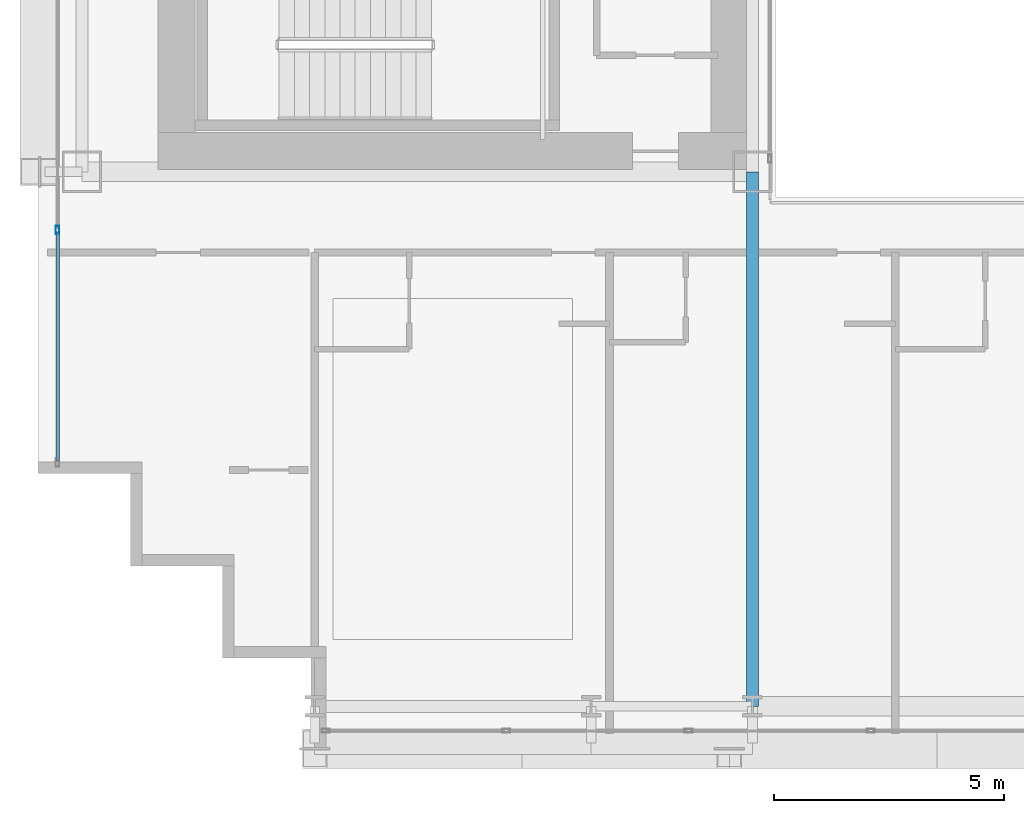
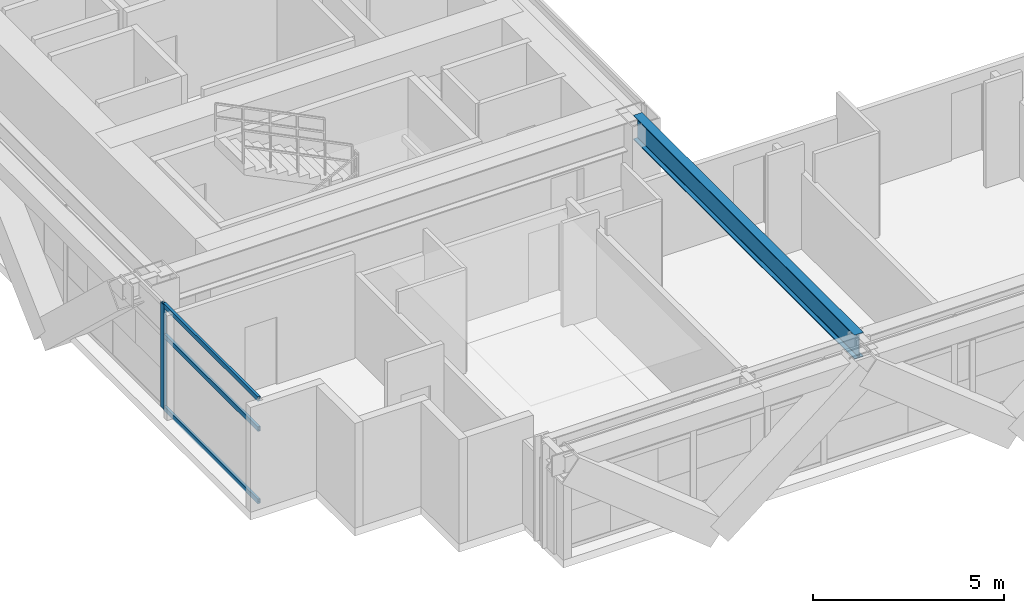
# One storey, part 3 of 41: 4 members, 1 beam, 1 element without a shape of its own.
"""IFC4 building model written with IfcOpenShell, lengths in metres."""

import ifcopenshell
import ifcopenshell.guid

model = None  # the IFC model being written
_history = None  # IfcOwnerHistory: only IFC2X3 demands one
_inside = {}  # id of a spatial element -> (the spatial element, [elements in it])
_under = {}  # id of a project, library or spatial element -> (it, [spatial elements below it])
_declared = {}  # id of a project -> (the project, [libraries it declares])
_typed = {}  # id of a type object -> (the type object, [elements of that type])
_made_of = {}  # id of a material, layer set ... -> (it, [elements and type objects made of it])


def new_model(schema):
    """Start an empty IFC model of exactly this schema.

    Asked for "IFC4X3", IfcOpenShell would pick the latest addendum, in which some entities
    have other attributes; the version numbers below select the first issue.
    IFC2X3 requires an IfcOwnerHistory on every rooted entity: one is made here for all.
    """
    global model, _history
    if schema == "IFC4X3":
        model = ifcopenshell.file(schema_version=(4, 3, 0, 0))
    else:
        model = ifcopenshell.file(schema=schema)
    _inside.clear()
    _under.clear()
    _declared.clear()
    _typed.clear()
    _made_of.clear()
    _history = None
    if model.schema == "IFC2X3":
        org = make("IfcOrganization", Name="unknown")
        user = make(
            "IfcPersonAndOrganization",
            ThePerson=make("IfcPerson", FamilyName="unknown"),
            TheOrganization=org,
        )
        app = make(
            "IfcApplication",
            ApplicationDeveloper=org,
            Version="unknown",
            ApplicationFullName="unknown",
            ApplicationIdentifier="unknown",
        )
        _history = make(
            "IfcOwnerHistory",
            OwningUser=user,
            OwningApplication=app,
            ChangeAction="ADDED",
            CreationDate=0,
        )
    return model


def make(cls, **values):
    """One entity of the class cls with the attributes given. An attribute that is None is left unset."""
    return model.create_entity(
        cls, **{name: value for name, value in values.items() if value is not None}
    )


def rooted(cls, **values):
    """An entity with a GlobalId (a new one), such as an element, a storey or a relation."""
    return make(cls, GlobalId=ifcopenshell.guid.new(), OwnerHistory=_history, **values)


def si_unit(unit_type, name, prefix=None):
    """IfcSIUnit, for example si_unit("LENGTHUNIT", "METRE", prefix="MILLI")."""
    return make("IfcSIUnit", UnitType=unit_type, Prefix=prefix, Name=name)


def assignment(units):
    """IfcUnitAssignment: the units of a project."""
    return None if units is None else make("IfcUnitAssignment", Units=units)


def point(xyz):
    """IfcCartesianPoint."""
    return None if xyz is None else make("IfcCartesianPoint", Coordinates=xyz)


def direction(xyz):
    """IfcDirection."""
    return None if xyz is None else make("IfcDirection", DirectionRatios=xyz)


def frame(location, z_axis=None, x_axis=None):
    """IfcAxis2Placement3D, a coordinate frame: its origin and axes. An axis left out is left unset."""
    return make(
        "IfcAxis2Placement3D",
        Location=point(location),
        Axis=direction(z_axis),
        RefDirection=direction(x_axis),
    )


def frame_2d(location, x_axis=None):
    """IfcAxis2Placement2D, a coordinate frame in the plane: its origin and x axis."""
    return make(
        "IfcAxis2Placement2D", Location=point(location), RefDirection=direction(x_axis)
    )


def origin():
    """The frame at (0, 0, 0) with its axes left unset."""
    return frame((0.0, 0.0, 0.0))


def origin_2d():
    """The frame at (0, 0) in the plane with its x axis left unset."""
    return frame_2d((0.0, 0.0))


def place(relative_to, where):
    """IfcLocalPlacement: puts the frame where relative to a parent placement (None: the world)."""
    return make(
        "IfcLocalPlacement", PlacementRelTo=relative_to, RelativePlacement=where
    )


def context(
    kind, dimensions, precision=None, world=None, true_north=None, identifier=None
):
    """IfcGeometricRepresentationContext, for example the 3D "Model" context."""
    return make(
        "IfcGeometricRepresentationContext",
        ContextIdentifier=identifier,
        ContextType=kind,
        CoordinateSpaceDimension=dimensions,
        Precision=precision,
        WorldCoordinateSystem=world,
        TrueNorth=true_north,
    )


def subcontext(parent, identifier, kind, view, scale=None):
    """IfcGeometricRepresentationSubContext, for example "Body" below "Model"."""
    return make(
        "IfcGeometricRepresentationSubContext",
        ContextIdentifier=identifier,
        ContextType=kind,
        ParentContext=parent,
        TargetScale=scale,
        TargetView=view,
    )


def project(units=None, contexts=None):
    """IfcProject with its units and contexts."""
    return rooted(
        "IfcProject",
        Name="project",
        RepresentationContexts=contexts,
        UnitsInContext=assignment(units),
    )


def spatial(cls, under=None, at=None, **own):
    """A site, building, storey or space (cls), placed at a placement, below another one or the project."""
    s = rooted(cls, ObjectPlacement=at, **own)
    if under is not None:
        _under.setdefault(under.id(), (under, []))[1].append(s)
    return s


def profile(cls, at=None, kind="AREA", **sizes):
    """A parametric profile (cls). Its sizes go by their IFC names, for example OverallWidth=200.0."""
    return make(cls, ProfileType=kind, Position=at, **sizes)


def hollow_rectangle(**sizes):
    """IfcRectangleHollowProfileDef."""
    return profile("IfcRectangleHollowProfileDef", **sizes)


def i_section(**sizes):
    """IfcIShapeProfileDef."""
    return profile("IfcIShapeProfileDef", **sizes)


def extrude(swept, where, along, depth):
    """IfcExtrudedAreaSolid: the profile swept, set in the frame where, extruded along a direction by depth."""
    return make(
        "IfcExtrudedAreaSolid",
        SweptArea=swept,
        Position=where,
        ExtrudedDirection=direction(along),
        Depth=depth,
    )


def shape(context_of_items, identifier, shape_type, items):
    """IfcShapeRepresentation: the items that make up one representation, for example the "Body"."""
    return make(
        "IfcShapeRepresentation",
        ContextOfItems=context_of_items,
        RepresentationIdentifier=identifier,
        RepresentationType=shape_type,
        Items=items,
    )


def source(mapping_origin, context_of_items, identifier, shape_type, items):
    """IfcRepresentationMap: a shape defined once, which mapped items show again and again."""
    return make(
        "IfcRepresentationMap",
        MappingOrigin=mapping_origin,
        MappedRepresentation=shape(context_of_items, identifier, shape_type, items),
    )


def transform(
    local_origin,
    x_axis=None,
    y_axis=None,
    z_axis=None,
    scale=None,
    scale2=None,
    scale3=None,
    uniform=True,
):
    """IfcCartesianTransformationOperator3D, or its non-uniform kind. x_axis, y_axis, z_axis: its Axis1, 2, 3."""
    if uniform:
        return make(
            "IfcCartesianTransformationOperator3D",
            Axis1=direction(x_axis),
            Axis2=direction(y_axis),
            LocalOrigin=point(local_origin),
            Scale=scale,
            Axis3=direction(z_axis),
        )
    return make(
        "IfcCartesianTransformationOperator3DnonUniform",
        Axis1=direction(x_axis),
        Axis2=direction(y_axis),
        LocalOrigin=point(local_origin),
        Scale=scale,
        Axis3=direction(z_axis),
        Scale2=scale2,
        Scale3=scale3,
    )


def mapped(mapping_source, mapping_target):
    """IfcMappedItem: shows the shape of a source again, moved by a transform."""
    return make(
        "IfcMappedItem", MappingSource=mapping_source, MappingTarget=mapping_target
    )


def material(Name=None, Category=None):
    """IfcMaterial."""
    return make("IfcMaterial", Name=Name, Category=Category)


def layer(
    of_material, thickness, ventilated=None, Name=None, Category=None, Priority=None
):
    """IfcMaterialLayer: one layer of a wall or slab, of a material (None: an air gap)."""
    return make(
        "IfcMaterialLayer",
        Material=of_material,
        LayerThickness=thickness,
        IsVentilated=ventilated,
        Name=Name,
        Category=Category,
        Priority=Priority,
    )


def layer_set(layers, Name=None):
    """IfcMaterialLayerSet."""
    return make("IfcMaterialLayerSet", MaterialLayers=layers, LayerSetName=Name)


def material_profile(
    of_material, cross_section, Name=None, Category=None, Priority=None
):
    """IfcMaterialProfile: a cross section and its material."""
    return make(
        "IfcMaterialProfile",
        Name=Name,
        Material=of_material,
        Profile=cross_section,
        Priority=Priority,
        Category=Category,
    )


def profile_set(profiles, Name=None, composite=None):
    """IfcMaterialProfileSet."""
    return make(
        "IfcMaterialProfileSet",
        Name=Name,
        MaterialProfiles=profiles,
        CompositeProfile=composite,
    )


def made_of(thing, what):
    """Note that an element or type object is made of a material, layer set ...; save() writes the relation."""
    if what is not None:
        _made_of.setdefault(what.id(), (what, []))[1].append(thing)
    return thing


def type_object(cls, material=None, **own):
    """A type object (cls), such as IfcWallType, which elements share."""
    return made_of(rooted(cls, **own), material)


def element(
    cls,
    number,
    at=None,
    inside=None,
    cuts=None,
    type_object=None,
    material=None,
    context=None,
    identifier="Body",
    shape_type=None,
    held_by="IfcProductDefinitionShape",
    body=None,
    shapes=None,
    **own,
):
    """One element of the class cls, such as IfcWall. Its Tag is "e" and its number.

    at: its placement. inside: the storey or other place that contains it. cuts: it is an
    opening in that element (IfcRelVoidsElement). A single representation is given by context,
    identifier, shape_type and body (its items); several are given by shapes. held_by: the class
    of the entity that holds the representations. save() writes the other relations.
    """
    e = rooted(cls, Tag="e%d" % number, ObjectPlacement=at, **own)
    if body is not None:
        shapes = [shape(context, identifier, shape_type, body)]
    if shapes is not None:
        e.Representation = make(held_by, Representations=shapes)
    if inside is not None:
        _inside.setdefault(inside.id(), (inside, []))[1].append(e)
    if cuts is not None:
        rooted(
            "IfcRelVoidsElement", RelatingBuildingElement=cuts, RelatedOpeningElement=e
        )
    if type_object is not None:
        _typed.setdefault(type_object.id(), (type_object, []))[1].append(e)
    return made_of(e, material)


def aggregate(whole, parts):
    """IfcRelAggregates: a whole, such as a stair, and the parts it consists of."""
    return rooted("IfcRelAggregates", RelatingObject=whole, RelatedObjects=parts)


def save(model, path):
    """Write the relations noted so far, then the file.

    IfcRelAggregates (storeys below a building ...), IfcRelContainedInSpatialStructure (elements
    in a storey), IfcRelDefinesByType, IfcRelAssociatesMaterial and IfcRelDeclares: one each for
    every whole, place, type object, material and project.
    """
    for whole, parts in _under.values():
        aggregate(whole, parts)
    for where, things in _inside.values():
        rooted(
            "IfcRelContainedInSpatialStructure",
            RelatedElements=things,
            RelatingStructure=where,
        )
    for kind, things in _typed.values():
        rooted("IfcRelDefinesByType", RelatedObjects=things, RelatingType=kind)
    for what, things in _made_of.values():
        rooted("IfcRelAssociatesMaterial", RelatedObjects=things, RelatingMaterial=what)
    for by, libraries in _declared.values():
        rooted("IfcRelDeclares", RelatingContext=by, RelatedDefinitions=libraries)
    model.write(path)


model = new_model("IFC4")

# Units and contexts
model_context = context("Model", 3, precision=1e-05, world=origin(), true_north=direction((0.0, 1.0)))
body_context = subcontext(model_context, "Body", "Model", "MODEL_VIEW")
ifc_project = project(units=[si_unit("LENGTHUNIT", "METRE"), si_unit("AREAUNIT", "SQUARE_METRE"), si_unit("VOLUMEUNIT", "CUBIC_METRE"), si_unit("PLANEANGLEUNIT", "RADIAN"), si_unit("MASSUNIT", "GRAM", prefix="KILO")], contexts=[model_context])

# Site, building, storey
site_placement = place(None, origin())
site = spatial("IfcSite", under=ifc_project, at=site_placement, CompositionType="ELEMENT")
building_placement = place(site_placement, origin())
building = spatial("IfcBuilding", under=site, at=building_placement, Name="Ocotamira Hotel", CompositionType="ELEMENT")
storey_placement = place(building_placement, frame((0.0, 0.0, 52.800048828125)))
storey = spatial("IfcBuildingStorey", under=building, at=storey_placement, Name="L12", CompositionType="ELEMENT", Elevation=52.800048828125)

# Beam
ifc_material_1 = material(Name="Steel ASTM A992 Grade 50", Category="steel")
ifc_material_profile_1 = material_profile(ifc_material_1, i_section(OverallWidth=0.26611328125, OverallDepth=0.779052734375, WebThickness=0.0166015625, FlangeThickness=0.030029296875, FilletRadius=0.01806640625, at=origin_2d()), Name="W30X148")
ifc_profile_set_1 = profile_set([ifc_material_profile_1], Name="Steel ASTM A992 Grade 50")
beam_type = type_object("IfcBeamType", Name="BM-GIRD-W30X148", PredefinedType="BEAM", material=ifc_profile_set_1)
shared_shape_1 = source(origin(), body_context, "Body", "SweptSolid", [
    extrude(i_section(OverallWidth=0.26611328125, OverallDepth=0.779052734375, WebThickness=0.0166015625, FlangeThickness=0.030029296875, FilletRadius=0.01806640625, at=origin_2d()), origin(), (0.0, 0.0, 1.0), 11.60009765625),
])
beam_placement = place(storey_placement, frame((23.5, 2.949951171875, 2.96044921875), z_axis=(0.0, 1.0, 0.0), x_axis=(-1.0, 0.0, 0.0)))
element("IfcBeam", 1, at=beam_placement, inside=storey, type_object=beam_type, Name="L12 Beam X23.5 Y2.95-14.55", PredefinedType="BEAM", context=body_context, shape_type="MappedRepresentation", body=[
    mapped(shared_shape_1, transform((0.0, 0.0, 0.0), scale=1.0)),
])

# Curtain wall, members
ifc_material_2 = material(Name="Anodised pale-metal aluminium and solar glass", Category="aluminium")
ifc_layer = layer(ifc_material_2, 0.179931640625)
ifc_layer_set = layer_set([ifc_layer], Name="Anodised pale-metal aluminium and solar glass")
curtain_wall_type = type_object("IfcCurtainWallType", Name="CW-SYS2-Z1", PredefinedType="NOTDEFINED", material=ifc_layer_set)
curtain_wall_placement = place(storey_placement, origin())
curtain_wall = element("IfcCurtainWall", 2, at=curtain_wall_placement, inside=storey, type_object=curtain_wall_type, Name="L12 Curtain Wall CW-2 CW-L12-W", PredefinedType="NOTDEFINED")
ifc_material_3 = material(Name="Anodised pale-metal aluminium 6063-T6", Category="aluminium")
ifc_material_profile_2 = material_profile(ifc_material_3, hollow_rectangle(XDim=0.080078125, YDim=0.179931640625, WallThickness=0.006103515625, at=origin_2d()), Name="HSS180X80X6")
ifc_profile_set_2 = profile_set([ifc_material_profile_2], Name="Anodised pale-metal aluminium 6063-T6")
member_type_1 = type_object("IfcMemberType", Name="CWM-180X75", PredefinedType="MULLION", material=ifc_profile_set_2)
shared_shape_2 = source(origin(), body_context, "Body", "SweptSolid", [
    extrude(hollow_rectangle(XDim=0.080078125, YDim=0.179931640625, WallThickness=0.006103515625, at=origin_2d()), origin(), (0.0, 0.0, 1.0), 3.349853515625),
])
member_1_placement = place(storey_placement, frame((8.419921875, 13.28564453125, 0.0), z_axis=(0.0, 0.0, 1.0), x_axis=(-1.0, 0.0, 0.0)))
member_1 = element("IfcMember", 3, at=member_1_placement, type_object=member_type_1, Name="CW-2 mullion 2", PredefinedType="MULLION", context=body_context, shape_type="MappedRepresentation", body=[
    mapped(shared_shape_2, transform((0.0, 0.0, 0.0), scale=1.0)),
])
ifc_material_profile_3 = material_profile(ifc_material_3, hollow_rectangle(XDim=0.074951171875, YDim=0.14990234375, WallThickness=0.006103515625, at=origin_2d()), Name="HSS150X75X6")
ifc_profile_set_3 = profile_set([ifc_material_profile_3], Name="Anodised pale-metal aluminium 6063-T6")
member_type_2 = type_object("IfcMemberType", Name="CWT-150X75", PredefinedType="USERDEFINED", material=ifc_profile_set_3)
shared_shape_3 = source(origin(), body_context, "Body", "SweptSolid", [
    extrude(hollow_rectangle(XDim=0.074951171875, YDim=0.14990234375, WallThickness=0.006103515625, at=origin_2d()), origin(), (0.0, 0.0, 1.0), 4.965576171875),
])
member_2_placement = place(storey_placement, frame((8.419921875, 8.280029296875, 0.037353515625), z_axis=(0.0, 1.0, 0.0), x_axis=(-1.0, 0.0, 0.0)))
member_2 = element("IfcMember", 4, at=member_2_placement, type_object=member_type_2, Name="CW-2 transom 1.1", ObjectType="TRANSOM", PredefinedType="USERDEFINED", context=body_context, shape_type="MappedRepresentation", body=[
    mapped(shared_shape_3, transform((0.0, 0.0, 0.0), scale=1.0)),
])
member_3_placement = place(storey_placement, frame((8.419921875, 8.280029296875, 2.349853515625), z_axis=(0.0, 1.0, 0.0), x_axis=(-1.0, 0.0, 0.0)))
member_3 = element("IfcMember", 5, at=member_3_placement, type_object=member_type_2, Name="CW-2 transom 1.2", ObjectType="TRANSOM", PredefinedType="USERDEFINED", context=body_context, shape_type="MappedRepresentation", body=[
    mapped(shared_shape_3, transform((0.0, 0.0, 0.0), scale=1.0)),
])
member_4_placement = place(storey_placement, frame((8.419921875, 8.280029296875, 3.3125), z_axis=(0.0, 1.0, 0.0), x_axis=(-1.0, 0.0, 0.0)))
member_4 = element("IfcMember", 6, at=member_4_placement, type_object=member_type_2, Name="CW-2 transom 1.3", ObjectType="TRANSOM", PredefinedType="USERDEFINED", context=body_context, shape_type="MappedRepresentation", body=[
    mapped(shared_shape_3, transform((0.0, 0.0, 0.0), scale=1.0)),
])
aggregate(curtain_wall, [member_1, member_2, member_3, member_4])

save(model, "model.ifc")
